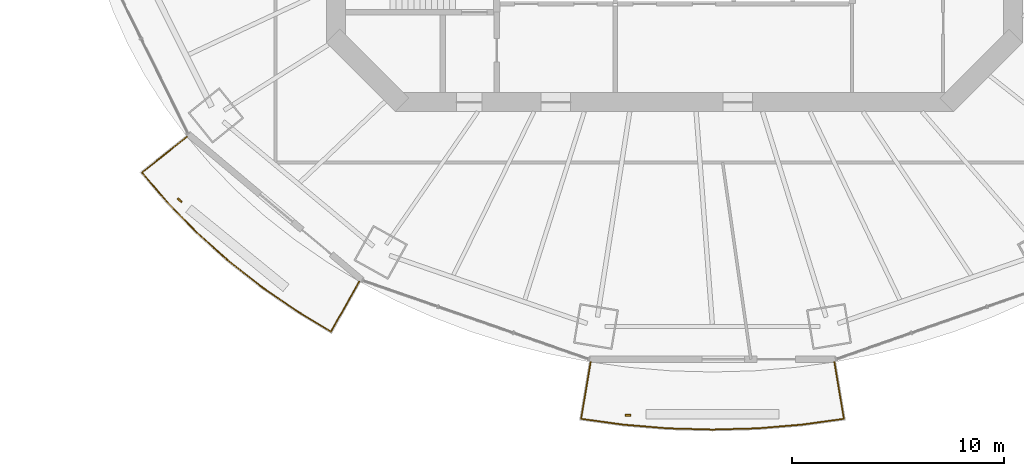
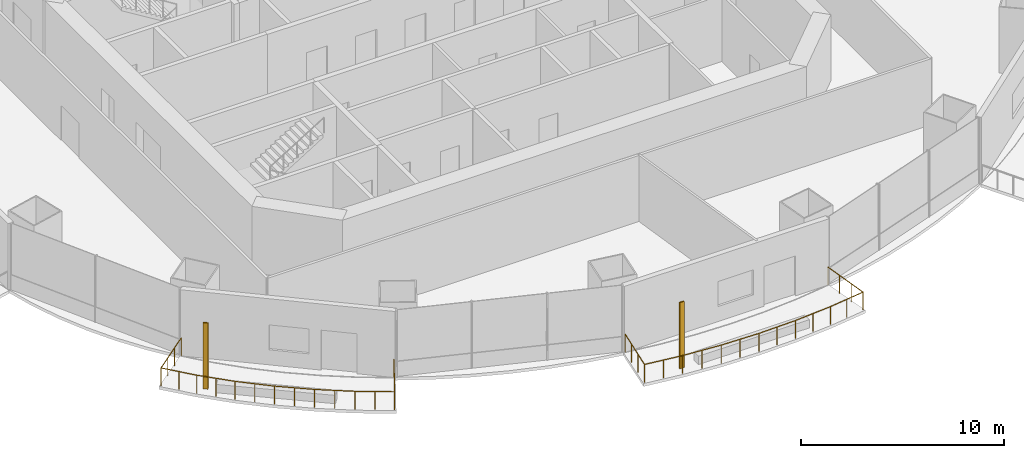
# One storey, part 14 of 19: 2 railings, 2 shading devices.
"""IFC4 building model written with IfcOpenShell, lengths in metres."""

from ifc_helpers import new_model, si_unit, direction, frame, origin, origin_2d, place, context, subcontext, project, spatial, rectangle, circle, extrude, material, material_profile, profile_set, type_object, element, save


model = new_model("IFC4")

# Units and contexts
model_context = context("Model", 3, precision=1e-05, world=origin(), true_north=direction((0.0, 1.0)))
body_context = subcontext(model_context, "Body", "Model", "MODEL_VIEW")
ifc_project = project(units=[si_unit("LENGTHUNIT", "METRE"), si_unit("AREAUNIT", "SQUARE_METRE"), si_unit("VOLUMEUNIT", "CUBIC_METRE"), si_unit("PLANEANGLEUNIT", "RADIAN"), si_unit("MASSUNIT", "GRAM", prefix="KILO")], contexts=[model_context])

# Site, building, storey
site_placement = place(None, origin())
site = spatial("IfcSite", under=ifc_project, at=site_placement, CompositionType="ELEMENT")
building_placement = place(site_placement, origin())
building = spatial("IfcBuilding", under=site, at=building_placement, Name="Marenthal Gate Tower", CompositionType="ELEMENT")
storey_placement = place(building_placement, frame((0.0, 0.0, 248.199951171875)))
storey = spatial("IfcBuildingStorey", under=building, at=storey_placement, Name="L55", CompositionType="ELEMENT", Elevation=248.199951171875)

# Railings
ifc_material_1 = material(Name="Stainless steel", Category="steel")
railing_type = type_object("IfcRailingType", Name="Balcony guard 1100", PredefinedType="GUARDRAIL", material=ifc_material_1)
railing_1_placement = place(storey_placement, frame((-14.89404296875, -21.4755859375, 0.0)))
element("IfcRailing", 1, at=railing_1_placement, inside=storey, type_object=railing_type, Name="Balcony guard L55 bay 10", PredefinedType="GUARDRAIL", context=body_context, shape_type="SweptSolid", body=[
    extrude(circle(Radius=0.02392578125, at=origin_2d()), frame((0.0, 0.0, 1.076171875), z_axis=(-0.490003601749, -0.871596150217, -0.014718056902), x_axis=(0.871690568659, -0.490056682957, 0.0)), (0.0, 0.0, 1.0), 2.720458984375),
    extrude(circle(Radius=0.02392578125, at=origin_2d()), frame((-1.3330078125, -2.37109375, 1.0361328125), z_axis=(-0.855893544478, 0.517152047778, 0.0), x_axis=(-0.517152047778, -0.855893544478, 0.0)), (0.0, 0.0, 1.0), 1.944580078125),
    extrude(circle(Radius=0.02392578125, at=origin_2d()), frame((-2.997314453125, -1.365478515625, 1.0361328125), z_axis=(-0.823118749267, 0.567869284787, 0.0), x_axis=(-0.567869284787, -0.823118749267, 0.0)), (0.0, 0.0, 1.0), 2.008544921875),
    extrude(circle(Radius=0.02392578125, at=origin_2d()), frame((-4.650634765625, -0.224853515625, 1.0361328125), z_axis=(-0.785663114819, 0.618654564367, 0.0), x_axis=(-0.618654564367, -0.785663114819, 0.0)), (0.0, 0.0, 1.0), 1.992431640625),
    extrude(circle(Radius=0.02392578125, at=origin_2d()), frame((-6.216064453125, 1.0078125, 1.0361328125), z_axis=(-0.744141474821, 0.668022054614, 0.0), x_axis=(-0.668022054614, -0.744141474821, 0.0)), (0.0, 0.0, 1.0), 1.975830078125),
    extrude(circle(Radius=0.02392578125, at=origin_2d()), frame((-7.686279296875, 2.32763671875, 1.0361328125), z_axis=(-0.698521536326, 0.715589032398, 0.0), x_axis=(-0.715589032398, -0.698521536326, 0.0)), (0.0, 0.0, 1.0), 1.959716796875),
    extrude(circle(Radius=0.02392578125, at=origin_2d()), frame((-9.05517578125, 3.72998046875, 1.0361328125), z_axis=(-0.649809223688, 0.760097344298, 0.0), x_axis=(-0.760097344298, -0.649809223688, 0.0)), (0.0, 0.0, 1.0), 1.864013671875),
    extrude(circle(Radius=0.02392578125, at=origin_2d()), frame((-10.266357421875, 5.146728515625, 1.0361328125), z_axis=(0.783055581805, 0.621777543925, 0.014718752483), x_axis=(-0.621844906334, 0.783140416826, 0.0)), (0.0, 0.0, 1.0), 2.72021484375),
    extrude(circle(Radius=0.02099609375, at=origin_2d()), origin(), (0.0, 0.0, 1.0), 1.052001953125),
    extrude(circle(Radius=0.02099609375, at=origin_2d()), frame((-0.4443359375, -0.790283203125, -0.013427734375)), (0.0, 0.0, 1.0), 1.052001953125),
    extrude(circle(Radius=0.02099609375, at=origin_2d()), frame((-0.888671875, -1.580810546875, -0.026611328125)), (0.0, 0.0, 1.0), 1.052001953125),
    extrude(circle(Radius=0.02099609375, at=origin_2d()), frame((-1.3330078125, -2.37109375, -0.0400390625)), (0.0, 0.0, 1.0), 1.052001953125),
    extrude(circle(Radius=0.02099609375, at=origin_2d()), frame((-2.1650390625, -1.8681640625, -0.0400390625)), (0.0, 0.0, 1.0), 1.052001953125),
    extrude(circle(Radius=0.02099609375, at=origin_2d()), frame((-2.997314453125, -1.365478515625, -0.0400390625)), (0.0, 0.0, 1.0), 1.052001953125),
    extrude(circle(Radius=0.02099609375, at=origin_2d()), frame((-3.823974609375, -0.795166015625, -0.0400390625)), (0.0, 0.0, 1.0), 1.052001953125),
    extrude(circle(Radius=0.02099609375, at=origin_2d()), frame((-4.650634765625, -0.224853515625, -0.0400390625)), (0.0, 0.0, 1.0), 1.052001953125),
    extrude(circle(Radius=0.02099609375, at=origin_2d()), frame((-5.433349609375, 0.3916015625, -0.0400390625)), (0.0, 0.0, 1.0), 1.052001953125),
    extrude(circle(Radius=0.02099609375, at=origin_2d()), frame((-6.216064453125, 1.0078125, -0.0400390625)), (0.0, 0.0, 1.0), 1.052001953125),
    extrude(circle(Radius=0.02099609375, at=origin_2d()), frame((-6.951171875, 1.667724609375, -0.0400390625)), (0.0, 0.0, 1.0), 1.052001953125),
    extrude(circle(Radius=0.02099609375, at=origin_2d()), frame((-7.686279296875, 2.32763671875, -0.0400390625)), (0.0, 0.0, 1.0), 1.052001953125),
    extrude(circle(Radius=0.02099609375, at=origin_2d()), frame((-8.37060546875, 3.02880859375, -0.0400390625)), (0.0, 0.0, 1.0), 1.052001953125),
    extrude(circle(Radius=0.02099609375, at=origin_2d()), frame((-9.05517578125, 3.72998046875, -0.0400390625)), (0.0, 0.0, 1.0), 1.052001953125),
    extrude(circle(Radius=0.02099609375, at=origin_2d()), frame((-9.66064453125, 4.4384765625, -0.0400390625)), (0.0, 0.0, 1.0), 1.052001953125),
    extrude(circle(Radius=0.02099609375, at=origin_2d()), frame((-10.266357421875, 5.146728515625, -0.0400390625)), (0.0, 0.0, 1.0), 1.052001953125),
    extrude(circle(Radius=0.02099609375, at=origin_2d()), frame((-9.556396484375, 5.71044921875, -0.026611328125)), (0.0, 0.0, 1.0), 1.052001953125),
    extrude(circle(Radius=0.02099609375, at=origin_2d()), frame((-8.84619140625, 6.2744140625, -0.013427734375)), (0.0, 0.0, 1.0), 1.052001953125),
    extrude(circle(Radius=0.02099609375, at=origin_2d()), frame((-8.13623046875, 6.838134765625, 0.0)), (0.0, 0.0, 1.0), 1.052001953125),
])
railing_2_placement = place(storey_placement, frame((7.558837890625, -25.283935546875, 0.0)))
element("IfcRailing", 2, at=railing_2_placement, inside=storey, type_object=railing_type, Name="Balcony guard L55 bay 12", PredefinedType="GUARDRAIL", context=body_context, shape_type="SweptSolid", body=[
    extrude(circle(Radius=0.02392578125, at=origin_2d()), frame((0.0, 0.0, 1.076171875), z_axis=(0.165050627973, -0.986175258386, -0.014719033707), x_axis=(0.986282103159, 0.165068509984, 0.0)), (0.0, 0.0, 1.0), 2.72021484375),
    extrude(circle(Radius=0.02392578125, at=origin_2d()), frame((0.448974609375, -2.6826171875, 1.0361328125), z_axis=(-0.990661107933, -0.1363472377, 0.0), x_axis=(0.1363472377, -0.990661107933, 0.0)), (0.0, 0.0, 1.0), 2.021484375),
    extrude(circle(Radius=0.02392578125, at=origin_2d()), frame((-1.5537109375, -2.958251953125, 1.0361328125), z_axis=(-0.996585629945, -0.082565623519, 0.0), x_axis=(0.082565623519, -0.996585629945, 0.0)), (0.0, 0.0, 1.0), 2.105224609375),
    extrude(circle(Radius=0.02392578125, at=origin_2d()), frame((-3.65185546875, -3.132080078125, 1.0361328125), z_axis=(-0.999619937795, -0.02756773409, 0.0), x_axis=(0.02756773409, -0.999619937795, 0.0)), (0.0, 0.0, 1.0), 2.107666015625),
    extrude(circle(Radius=0.02392578125, at=origin_2d()), frame((-5.7587890625, -3.190185546875, 1.0361328125), z_axis=(-0.999619937795, 0.02756773409, 0.0), x_axis=(-0.02756773409, -0.999619937795, 0.0)), (0.0, 0.0, 1.0), 2.107666015625),
    extrude(circle(Radius=0.02392578125, at=origin_2d()), frame((-7.86572265625, -3.132080078125, 1.0361328125), z_axis=(-0.996585629945, 0.082565623519, 0.0), x_axis=(-0.082565623519, -0.996585629945, 0.0)), (0.0, 0.0, 1.0), 2.105224609375),
    extrude(circle(Radius=0.02392578125, at=origin_2d()), frame((-9.9638671875, -2.958251953125, 1.0361328125), z_axis=(-0.990661107933, 0.1363472377, 0.0), x_axis=(-0.1363472377, -0.990661107933, 0.0)), (0.0, 0.0, 1.0), 2.021484375),
    extrude(circle(Radius=0.02392578125, at=origin_2d()), frame((-11.966552734375, -2.6826171875, 1.0361328125), z_axis=(0.165050627973, 0.986175258386, 0.014719033707), x_axis=(-0.986282103159, 0.165068509984, 0.0)), (0.0, 0.0, 1.0), 2.72021484375),
    extrude(circle(Radius=0.02099609375, at=origin_2d()), origin(), (0.0, 0.0, 1.0), 1.052001953125),
    extrude(circle(Radius=0.02099609375, at=origin_2d()), frame((0.149658203125, -0.894287109375, -0.013427734375)), (0.0, 0.0, 1.0), 1.052001953125),
    extrude(circle(Radius=0.02099609375, at=origin_2d()), frame((0.29931640625, -1.788330078125, -0.026611328125)), (0.0, 0.0, 1.0), 1.052001953125),
    extrude(circle(Radius=0.02099609375, at=origin_2d()), frame((0.448974609375, -2.6826171875, -0.0400390625)), (0.0, 0.0, 1.0), 1.052001953125),
    extrude(circle(Radius=0.02099609375, at=origin_2d()), frame((-0.55224609375, -2.8203125, -0.0400390625)), (0.0, 0.0, 1.0), 1.052001953125),
    extrude(circle(Radius=0.02099609375, at=origin_2d()), frame((-1.5537109375, -2.958251953125, -0.0400390625)), (0.0, 0.0, 1.0), 1.052001953125),
    extrude(circle(Radius=0.02099609375, at=origin_2d()), frame((-2.602783203125, -3.045166015625, -0.0400390625)), (0.0, 0.0, 1.0), 1.052001953125),
    extrude(circle(Radius=0.02099609375, at=origin_2d()), frame((-3.65185546875, -3.132080078125, -0.0400390625)), (0.0, 0.0, 1.0), 1.052001953125),
    extrude(circle(Radius=0.02099609375, at=origin_2d()), frame((-4.705322265625, -3.1611328125, -0.0400390625)), (0.0, 0.0, 1.0), 1.052001953125),
    extrude(circle(Radius=0.02099609375, at=origin_2d()), frame((-5.7587890625, -3.190185546875, -0.0400390625)), (0.0, 0.0, 1.0), 1.052001953125),
    extrude(circle(Radius=0.02099609375, at=origin_2d()), frame((-6.812255859375, -3.1611328125, -0.0400390625)), (0.0, 0.0, 1.0), 1.052001953125),
    extrude(circle(Radius=0.02099609375, at=origin_2d()), frame((-7.86572265625, -3.132080078125, -0.0400390625)), (0.0, 0.0, 1.0), 1.052001953125),
    extrude(circle(Radius=0.02099609375, at=origin_2d()), frame((-8.914794921875, -3.045166015625, -0.0400390625)), (0.0, 0.0, 1.0), 1.052001953125),
    extrude(circle(Radius=0.02099609375, at=origin_2d()), frame((-9.9638671875, -2.958251953125, -0.0400390625)), (0.0, 0.0, 1.0), 1.052001953125),
    extrude(circle(Radius=0.02099609375, at=origin_2d()), frame((-10.96533203125, -2.8203125, -0.0400390625)), (0.0, 0.0, 1.0), 1.052001953125),
    extrude(circle(Radius=0.02099609375, at=origin_2d()), frame((-11.966552734375, -2.6826171875, -0.0400390625)), (0.0, 0.0, 1.0), 1.052001953125),
    extrude(circle(Radius=0.02099609375, at=origin_2d()), frame((-11.81689453125, -1.788330078125, -0.026611328125)), (0.0, 0.0, 1.0), 1.052001953125),
    extrude(circle(Radius=0.02099609375, at=origin_2d()), frame((-11.667236328125, -0.894287109375, -0.013427734375)), (0.0, 0.0, 1.0), 1.052001953125),
    extrude(circle(Radius=0.02099609375, at=origin_2d()), frame((-11.517578125, 0.0, 0.0)), (0.0, 0.0, 1.0), 1.052001953125),
])

# Shading devices
ifc_material_2 = material(Name="Terracotta", Category="masonry")
ifc_material_profile = material_profile(ifc_material_2, rectangle(XDim=0.25, YDim=0.080078125, at=origin_2d()), Name="Terracotta baguette 250x80")
ifc_profile_set = profile_set([ifc_material_profile], Name="Terracotta")
shading_device_type = type_object("IfcShadingDeviceType", Name="Terracotta BAGUETTE SCREEN 250x80", PredefinedType="USERDEFINED", material=ifc_profile_set)
for number, where, z_axis, x_axis, name in (
    (3, (-23.376708984375, -17.63525390625, -0.0400390625), (0.0, 0.0, 1.0), (0.765398416376, -0.643556729597, 0.0), "Terracotta BAGUETTE L55 bay 10L"),
    (4, (-2.199462890625, -27.798095703125, -0.0400390625), (0.0, 0.0, 1.0), (1.0, 0.0, 0.0), "Terracotta BAGUETTE L55 bay 12L"),
):
    element("IfcShadingDevice", number, at=place(storey_placement, frame(where, z_axis=z_axis, x_axis=x_axis)), inside=storey, type_object=shading_device_type, Name=name, ObjectType="BAGUETTE SCREEN", PredefinedType="USERDEFINED", context=body_context, shape_type="SweptSolid", body=[
        extrude(rectangle(XDim=0.25, YDim=0.080078125, at=origin_2d()), origin(), (0.0, 0.0, 1.0), 3.969970703125),
    ])

save(model, "model.ifc")
